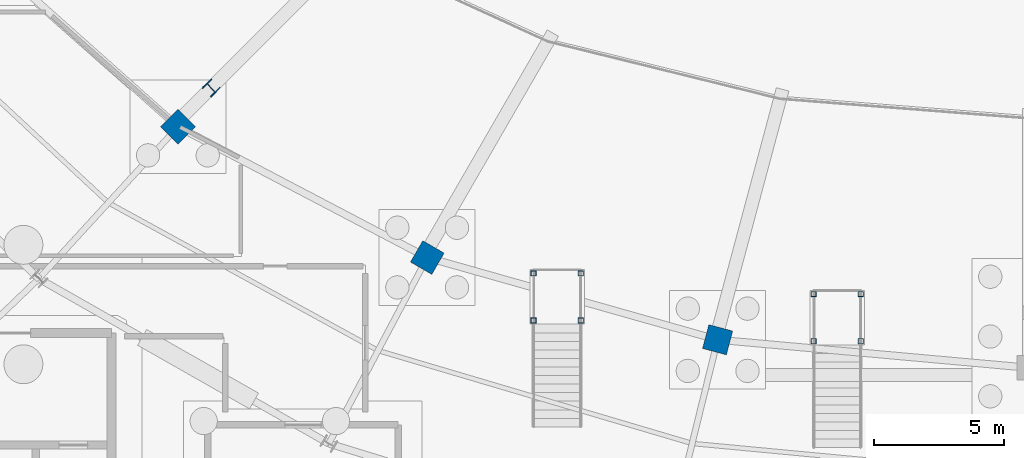
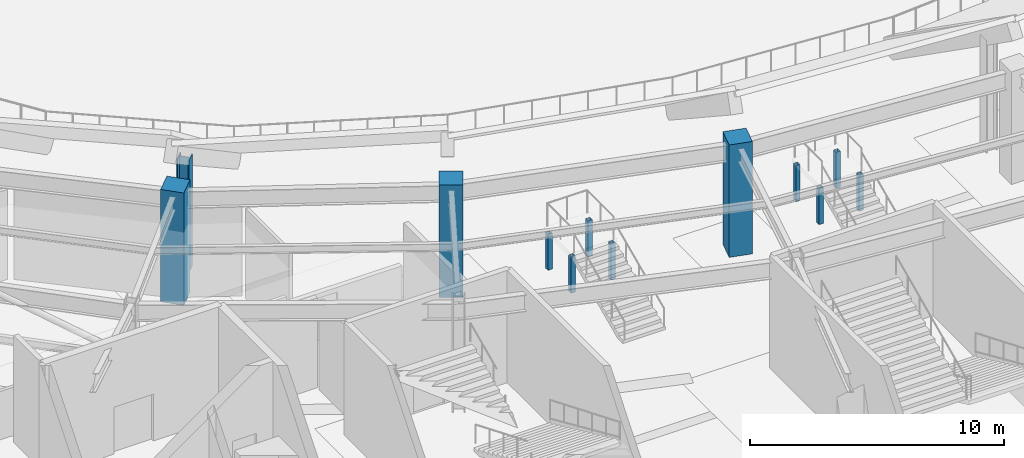
# One storey, part 16 of 93: 12 columns.
"""IFC4 building model written with IfcOpenShell, lengths in metres."""

from ifc_helpers import new_model, si_unit, direction, frame, origin, origin_2d, place, context, subcontext, project, spatial, rectangle, hollow_rectangle, i_section, extrude, material, material_profile, profile_set, type_object, element, save


model = new_model("IFC4")

# Units and contexts
model_context = context("Model", 3, precision=1e-05, world=origin(), true_north=direction((0.0, 1.0)))
body_context = subcontext(model_context, "Body", "Model", "MODEL_VIEW")
ifc_project = project(units=[si_unit("LENGTHUNIT", "METRE"), si_unit("AREAUNIT", "SQUARE_METRE"), si_unit("VOLUMEUNIT", "CUBIC_METRE"), si_unit("PLANEANGLEUNIT", "RADIAN"), si_unit("MASSUNIT", "GRAM", prefix="KILO")], contexts=[model_context])

# Site, building, storey
site_placement = place(None, origin())
site = spatial("IfcSite", under=ifc_project, at=site_placement, CompositionType="ELEMENT")
building_placement = place(site_placement, origin())
building = spatial("IfcBuilding", under=site, at=building_placement, Name="Kalgoora Escarpment Arena", CompositionType="ELEMENT")
storey_placement = place(building_placement, origin())
storey = spatial("IfcBuildingStorey", under=building, at=storey_placement, Name="L00", CompositionType="ELEMENT", Elevation=0.0)

# Columns
ifc_material_1 = material(Name="Structural steel Grade 350 (350 MPa)", Category="steel")
ifc_material_profile_1 = material_profile(ifc_material_1, i_section(OverallWidth=0.5, OverallDepth=0.5, WebThickness=0.02490234375, FlangeThickness=0.0419921875, at=origin_2d()))
ifc_profile_set_1 = profile_set([ifc_material_profile_1], Name="Structural steel Grade 350 (350 MPa)")
column_type_1 = type_object("IfcColumnType", Name="COL-COL-500WC440", PredefinedType="COLUMN", material=ifc_profile_set_1)
column_placement = place(storey_placement, frame((60.863037109375, 43.069580078125, 0.0), z_axis=(0.0, 0.0, 1.0), x_axis=(-0.707106781187, -0.707106781187, 0.0)))
element("IfcColumn", 1, at=column_placement, inside=storey, type_object=column_type_1, Name="L00 structural column COL-TSPINE-S06", PredefinedType="COLUMN", context=body_context, shape_type="SweptSolid", body=[
    extrude(i_section(OverallWidth=0.5, OverallDepth=0.5, WebThickness=0.02490234375, FlangeThickness=0.0419921875, at=origin_2d()), origin(), (0.0, 0.0, 1.0), 5.39990234375),
])
ifc_material_2 = material(Name="Concrete N50 (fc' 50 MPa)", Category="concrete")
ifc_material_profile_2 = material_profile(ifc_material_2, rectangle(XDim=0.949951171875, YDim=0.949951171875, at=origin_2d()))
ifc_profile_set_2 = profile_set([ifc_material_profile_2], Name="Concrete N50 (fc' 50 MPa)")
column_type_2 = type_object("IfcColumnType", Name="COL-COL-RC950x950", PredefinedType="COLUMN", material=ifc_profile_set_2)
for number, where, z_axis, x_axis, name in (
    (2, (59.583251953125, 41.570556640625, 0.0), (0.0, 0.0, 1.0), (-0.707106781187, -0.707106781187, 0.0), "L00 structural column COL-RMID-R16"),
    (3, (69.195068359375, 36.52978515625, 0.0), (0.0, 0.0, 1.0), (-0.5, -0.866025403784, 0.0), "L00 structural column COL-RMID-R17"),
    (4, (80.38818359375, 33.36083984375, 0.0), (0.0, 0.0, 1.0), (-0.258819045103, -0.965925826289, 0.0), "L00 structural column COL-RMID-R18"),
):
    element("IfcColumn", number, at=place(storey_placement, frame(where, z_axis=z_axis, x_axis=x_axis)), inside=storey, type_object=column_type_2, Name=name, PredefinedType="COLUMN", context=body_context, shape_type="SweptSolid", body=[
        extrude(rectangle(XDim=0.949951171875, YDim=0.949951171875, at=origin_2d()), origin(), (0.0, 0.0, 1.0), 5.39990234375),
    ])
ifc_material_3 = material(Name="Structural steel C350 (350 MPa)", Category="steel")
ifc_material_profile_3 = material_profile(ifc_material_3, hollow_rectangle(XDim=0.199951171875, YDim=0.199951171875, WallThickness=0.009033203125, at=origin_2d()))
ifc_profile_set_3 = profile_set([ifc_material_profile_3], Name="Structural steel C350 (350 MPa)")
column_type_3 = type_object("IfcColumnType", Name="COL-VST-POST", PredefinedType="COLUMN", material=ifc_profile_set_3)
for number, where, z_axis, x_axis, name in (
    (5, (73.2900390625, 34.10009765625, 0.0), (0.0, 0.0, 1.0), (1.0, 0.0, 0.0), "Vomitory landing support post VST05-1"),
    (6, (75.110107421875, 34.10009765625, 0.0), (0.0, 0.0, 1.0), (1.0, 0.0, 0.0), "Vomitory landing support post VST05-2"),
    (7, (73.2900390625, 35.919921875, 0.0), (0.0, 0.0, 1.0), (1.0, 0.0, 0.0), "Vomitory landing support post VST05-3"),
    (8, (75.110107421875, 35.919921875, 0.0), (0.0, 0.0, 1.0), (1.0, 0.0, 0.0), "Vomitory landing support post VST05-4"),
    (9, (84.090087890625, 33.300048828125, 0.0), (0.0, 0.0, 1.0), (1.0, 0.0, 0.0), "Vomitory landing support post VST06-1"),
    (10, (85.909912109375, 33.300048828125, 0.0), (0.0, 0.0, 1.0), (1.0, 0.0, 0.0), "Vomitory landing support post VST06-2"),
    (11, (84.090087890625, 35.1201171875, 0.0), (0.0, 0.0, 1.0), (1.0, 0.0, 0.0), "Vomitory landing support post VST06-3"),
    (12, (85.909912109375, 35.1201171875, 0.0), (0.0, 0.0, 1.0), (1.0, 0.0, 0.0), "Vomitory landing support post VST06-4"),
):
    element("IfcColumn", number, at=place(storey_placement, frame(where, z_axis=z_axis, x_axis=x_axis)), inside=storey, type_object=column_type_3, Name=name, PredefinedType="COLUMN", context=body_context, shape_type="SweptSolid", body=[
        extrude(hollow_rectangle(XDim=0.199951171875, YDim=0.199951171875, WallThickness=0.009033203125, at=origin_2d()), origin(), (0.0, 0.0, 1.0), 1.72998046875),
    ])

save(model, "model.ifc")
